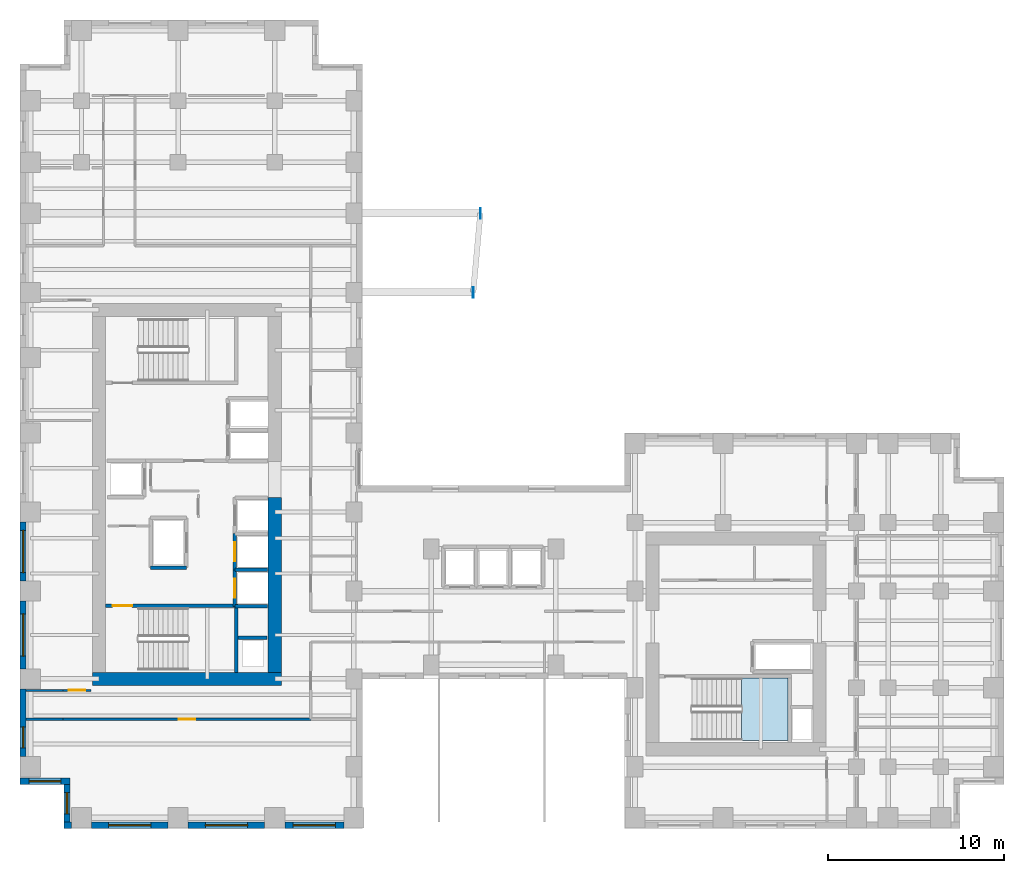
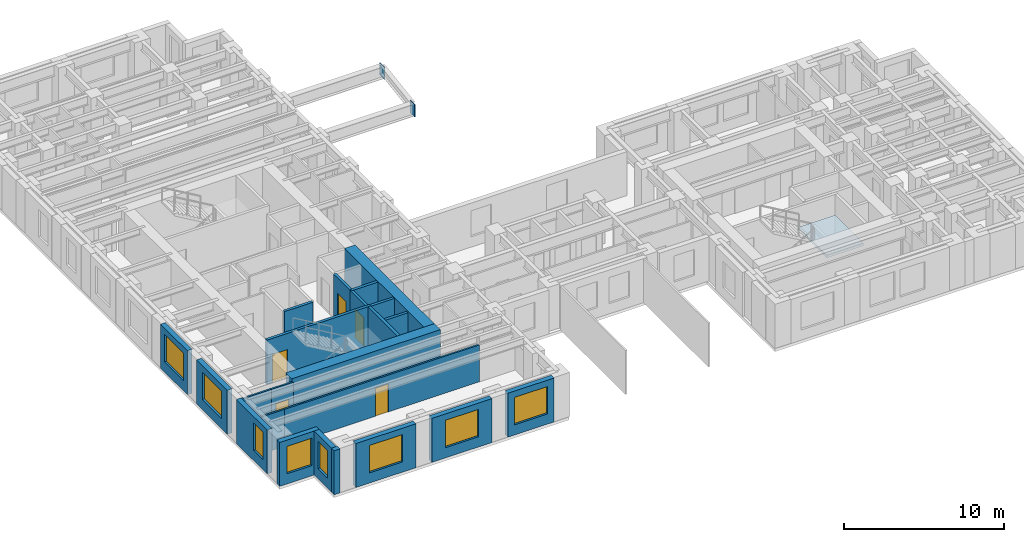
# One storey, part 5 of 13: 23 walls, 8 windows, 5 doors, 2 plates, 1 slab, 13 openings, 1 element without a shape of its own.
"""IFC4 building model written with IfcOpenShell, lengths in metres."""

from ifc_helpers import new_model, si_unit, direction, frame, frame_2d, origin, origin_2d, place, context, subcontext, project, spatial, polyline, rectangle, outline, extrude, source, transform, mapped, material, layer, layer_set, type_object, element, fill, aggregate, save


model = new_model("IFC4")

# Units and contexts
model_context = context("Model", 3, precision=1e-05, world=origin(), true_north=direction((0.0, 1.0)))
body_context = subcontext(model_context, "Body", "Model", "MODEL_VIEW")
ifc_project = project(units=[si_unit("LENGTHUNIT", "METRE"), si_unit("AREAUNIT", "SQUARE_METRE"), si_unit("VOLUMEUNIT", "CUBIC_METRE"), si_unit("PLANEANGLEUNIT", "RADIAN"), si_unit("MASSUNIT", "GRAM", prefix="KILO")], contexts=[model_context])

# Site, building, storey
site_placement = place(None, origin())
site = spatial("IfcSite", under=ifc_project, at=site_placement, CompositionType="ELEMENT")
building_placement = place(site_placement, origin())
building = spatial("IfcBuilding", under=site, at=building_placement, Name="Kharzan Plaza Tower", CompositionType="ELEMENT")
storey_placement = place(building_placement, frame((0.0, 0.0, 109.800048828125)))
storey = spatial("IfcBuildingStorey", under=building, at=storey_placement, Name="L29", CompositionType="ELEMENT", Elevation=109.800048828125)

# Stair, slab
ifc_material_1 = material(Name="Concrete C40/50", Category="concrete")
stair_type = type_object("IfcStairType", Name="STR-ST-3", PredefinedType="HALF_TURN_STAIR", material=ifc_material_1)
stair_placement = place(storey_placement, origin())
stair = element("IfcStair", 1, at=stair_placement, inside=storey, type_object=stair_type, Name="L29 Protected Exit Stair ST-3", PredefinedType="HALF_TURN_STAIR")
ifc_layer_1 = layer(ifc_material_1, 0.219970703125)
ifc_layer_set_1 = layer_set([ifc_layer_1], Name="Concrete C40/50")
slab_type = type_object("IfcSlabType", Name="SL-LANDING-220", PredefinedType="LANDING", material=ifc_layer_set_1)
slab_placement = place(storey_placement, frame((0.0, 0.0, 1.599853515625)))
slab = element("IfcSlab", 2, at=slab_placement, type_object=slab_type, Name="ST-3 landing 1", PredefinedType="LANDING", context=body_context, shape_type="SweptSolid", body=[
    extrude(outline(polyline([(41.050048828125, 5.0), (43.699951171875, 5.0), (43.699951171875, 8.550048828125), (41.050048828125, 8.550048828125), (41.050048828125, 5.0)])), origin(), (0.0, 0.0, 1.0), 0.2001953125),
])
aggregate(stair, [slab])

# Plates
ifc_material_2 = material(Name="Steel S460", Category="steel")
ifc_layer_2 = layer(ifc_material_2, 0.0419921875)
ifc_layer_set_2 = layer_set([ifc_layer_2], Name="Steel S460")
plate_type = type_object("IfcPlateType", Name="PLT-ZTN1", PredefinedType="USERDEFINED", material=ifc_layer_set_2)
shared_shape_1 = source(origin(), body_context, "Body", "SweptSolid", [
    extrude(rectangle(XDim=0.60009765625, YDim=0.0419921875, at=origin_2d()), origin(), (0.0, 0.0, 1.0), 0.949951171875),
])
for number, where, z_axis, x_axis, name in (
    (3, (25.7900390625, 30.5, 2.4365234375), (0.0, 0.0, 1.0), (0.0, 1.0, 0.0), "L29 Sky-Terrace Cantilever Tip Plate ZTN1"),
    (4, (26.199951171875, 35.0, 2.4365234375), (0.0, 0.0, 1.0), (0.0, 1.0, 0.0), "L29 Sky-Terrace Cantilever Tip Plate ZTN1"),
):
    element("IfcPlate", number, at=place(storey_placement, frame(where, z_axis=z_axis, x_axis=x_axis)), inside=storey, type_object=plate_type, Name=name, ObjectType="FLANGE_PLATE", PredefinedType="USERDEFINED", context=body_context, shape_type="MappedRepresentation", body=[
        mapped(shared_shape_1, transform((0.0, 0.0, 0.0), x_axis=(1.0, 0.0, 0.0), y_axis=(0.0, 1.0, 0.0), z_axis=(0.0, 0.0, 1.0))),
    ])

# Wall, opening, window
ifc_layer_3 = layer(ifc_material_1, 0.35009765625)
ifc_layer_set_3 = layer_set([ifc_layer_3], Name="Concrete C40/50")
wall_type_1 = type_object("IfcWallType", Name="WL-EXT-MAS-Z2", PredefinedType="SOLIDWALL", material=ifc_layer_set_3)
wall_1_placement = place(storey_placement, frame((0.175048828125, 17.427001953125, 0.0), z_axis=(0.0, 0.0, 1.0), x_axis=(0.0, -1.0, 0.0)))
wall_1 = element("IfcWall", 5, at=wall_1_placement, inside=storey, type_object=wall_type_1, Name="L29 Masonry-Frame Exterior Wall 23", PredefinedType="SOLIDWALL", context=body_context, shape_type="SweptSolid", body=[
    extrude(rectangle(XDim=3.35400390625, YDim=0.35009765625, at=frame_2d((1.677001953125, 0.0))), origin(), (0.0, 0.0, 1.0), 3.364990234375),
])
opening_1_placement = place(wall_1_placement, frame((0.47705078125, 0.0, 0.780029296875)))
opening_1 = element("IfcOpeningElement", 6, at=opening_1_placement, cuts=wall_1, Name="Opening W2", PredefinedType="OPENING", context=body_context, shape_type="SweptSolid", body=[
    extrude(rectangle(XDim=2.39990234375, YDim=2.10009765625, at=frame_2d((1.199951171875, 1.050048828125))), frame((0.0, 0.18505859375, 0.0), z_axis=(0.0, -1.0, 0.0), x_axis=(1.0, 0.0, 0.0)), (0.0, 0.0, 1.0), 0.3701171875),
])
ifc_material_3 = material(Name="Low-E Double Glazing", Category="glass")
window_type_1 = type_object("IfcWindowType", Name="WN-REC-2400x2100", PartitioningType="SINGLE_PANEL", PredefinedType="WINDOW", material=ifc_material_3)
shared_shape_2 = source(origin(), body_context, "Body", "SweptSolid", [
    extrude(rectangle(XDim=2.39990234375, YDim=2.10009765625, at=frame_2d((1.199951171875, 1.050048828125))), frame((0.0, 0.030029296875, 0.0), z_axis=(0.0, -1.0, 0.0), x_axis=(1.0, 0.0, 0.0)), (0.0, 0.0, 1.0), 0.06005859375),
])
window_1_placement = place(opening_1_placement, origin())
window_1 = element("IfcWindow", 7, at=window_1_placement, inside=storey, type_object=window_type_1, Name="L29 Wide Recessed Solar-Control Window 23-1", OverallHeight=2.10009765625, OverallWidth=2.39990234375, PartitioningType="SINGLE_PANEL", PredefinedType="WINDOW", context=body_context, shape_type="MappedRepresentation", body=[
    mapped(shared_shape_2, transform((0.0, 0.0, 0.0), x_axis=(1.0, 0.0, 0.0), y_axis=(0.0, 1.0, 0.0), z_axis=(0.0, 0.0, 1.0))),
])
fill(opening_1, window_1)

wall_2_placement = place(storey_placement, frame((0.175048828125, 12.927001953125, 0.0), z_axis=(0.0, 0.0, 1.0), x_axis=(0.0, -1.0, 0.0)))
wall_2 = element("IfcWall", 8, at=wall_2_placement, inside=storey, type_object=wall_type_1, Name="L29 Masonry-Frame Exterior Wall 24", PredefinedType="SOLIDWALL", context=body_context, shape_type="SweptSolid", body=[
    extrude(rectangle(XDim=3.85400390625, YDim=0.35009765625, at=frame_2d((1.927001953125, 0.0))), origin(), (0.0, 0.0, 1.0), 3.364990234375),
])
opening_2_placement = place(wall_2_placement, frame((0.72705078125, 0.0, 0.780029296875)))
opening_2 = element("IfcOpeningElement", 9, at=opening_2_placement, cuts=wall_2, Name="Opening W2", PredefinedType="OPENING", context=body_context, shape_type="SweptSolid", body=[
    extrude(rectangle(XDim=2.39990234375, YDim=2.10009765625, at=frame_2d((1.199951171875, 1.050048828125))), frame((0.0, 0.18505859375, 0.0), z_axis=(0.0, -1.0, 0.0), x_axis=(1.0, 0.0, 0.0)), (0.0, 0.0, 1.0), 0.3701171875),
])
window_2_placement = place(opening_2_placement, origin())
window_2 = element("IfcWindow", 10, at=window_2_placement, inside=storey, type_object=window_type_1, Name="L29 Wide Recessed Solar-Control Window 24-1", OverallHeight=2.10009765625, OverallWidth=2.39990234375, PartitioningType="SINGLE_PANEL", PredefinedType="WINDOW", context=body_context, shape_type="MappedRepresentation", body=[
    mapped(shared_shape_2, transform((0.0, 0.0, 0.0), x_axis=(1.0, 0.0, 0.0), y_axis=(0.0, 1.0, 0.0), z_axis=(0.0, 0.0, 1.0))),
])
fill(opening_2, window_2)

wall_3_placement = place(storey_placement, frame((0.175048828125, 7.927001953125, 0.0), z_axis=(0.0, 0.0, 1.0), x_axis=(0.0, -1.0, 0.0)))
wall_3 = element("IfcWall", 11, at=wall_3_placement, inside=storey, type_object=wall_type_1, Name="L29 Masonry-Frame Exterior Wall 25", PredefinedType="SOLIDWALL", context=body_context, shape_type="SweptSolid", body=[
    extrude(rectangle(XDim=3.85400390625, YDim=0.35009765625, at=frame_2d((1.927001953125, 0.0))), origin(), (0.0, 0.0, 1.0), 3.364990234375),
])
opening_3_placement = place(wall_3_placement, frame((2.155517578125, 0.0, 0.780029296875)))
opening_3 = element("IfcOpeningElement", 12, at=opening_3_placement, cuts=wall_3, Name="Opening W3", PredefinedType="OPENING", context=body_context, shape_type="SweptSolid", body=[
    extrude(rectangle(XDim=1.199951171875, YDim=2.10009765625, at=frame_2d((0.60009765625, 1.050048828125))), frame((0.0, 0.18505859375, 0.0), z_axis=(0.0, -1.0, 0.0), x_axis=(1.0, 0.0, 0.0)), (0.0, 0.0, 1.0), 0.3701171875),
])
window_type_2 = type_object("IfcWindowType", Name="WN-REC-1200x2100", PartitioningType="SINGLE_PANEL", PredefinedType="WINDOW", material=ifc_material_3)
shared_shape_3 = source(origin(), body_context, "Body", "SweptSolid", [
    extrude(rectangle(XDim=1.199951171875, YDim=2.10009765625, at=frame_2d((0.60009765625, 1.050048828125))), frame((0.0, 0.030029296875, 0.0), z_axis=(0.0, -1.0, 0.0), x_axis=(1.0, 0.0, 0.0)), (0.0, 0.0, 1.0), 0.06005859375),
])
window_3_placement = place(opening_3_placement, origin())
window_3 = element("IfcWindow", 13, at=window_3_placement, inside=storey, type_object=window_type_2, Name="L29 Recessed Solar-Control Window 25-1", OverallHeight=2.10009765625, OverallWidth=1.199951171875, PartitioningType="SINGLE_PANEL", PredefinedType="WINDOW", context=body_context, shape_type="MappedRepresentation", body=[
    mapped(shared_shape_3, transform((0.0, 0.0, 0.0), x_axis=(1.0, 0.0, 0.0), y_axis=(0.0, 1.0, 0.0), z_axis=(0.0, 0.0, 1.0))),
])
fill(opening_3, window_3)

wall_4_placement = place(storey_placement, frame((0.0, 2.675048828125, 0.0), z_axis=(0.0, 0.0, 1.0), x_axis=(1.0, 0.0, 0.0)))
wall_4 = element("IfcWall", 14, at=wall_4_placement, inside=storey, type_object=wall_type_1, Name="L29 Masonry-Frame Exterior Wall 26", PredefinedType="SOLIDWALL", context=body_context, shape_type="SweptSolid", body=[
    extrude(rectangle(XDim=2.85009765625, YDim=0.35009765625, at=frame_2d((1.425048828125, 0.0))), origin(), (0.0, 0.0, 1.0), 3.364990234375),
])
opening_4_placement = place(wall_4_placement, frame((0.52490234375, 0.0, 0.780029296875)))
opening_4 = element("IfcOpeningElement", 15, at=opening_4_placement, cuts=wall_4, Name="Opening W1", PredefinedType="OPENING", context=body_context, shape_type="SweptSolid", body=[
    extrude(rectangle(XDim=1.800048828125, YDim=2.10009765625, at=frame_2d((0.89990234375, 1.050048828125))), frame((0.0, 0.18505859375, 0.0), z_axis=(0.0, -1.0, 0.0), x_axis=(1.0, 0.0, 0.0)), (0.0, 0.0, 1.0), 0.3701171875),
])
window_type_3 = type_object("IfcWindowType", Name="WN-REC-1800x2100", PartitioningType="SINGLE_PANEL", PredefinedType="WINDOW", material=ifc_material_3)
shared_shape_4 = source(origin(), body_context, "Body", "SweptSolid", [
    extrude(rectangle(XDim=1.800048828125, YDim=2.10009765625, at=frame_2d((0.89990234375, 1.050048828125))), frame((0.0, 0.030029296875, 0.0), z_axis=(0.0, -1.0, 0.0), x_axis=(1.0, 0.0, 0.0)), (0.0, 0.0, 1.0), 0.06005859375),
])
window_4_placement = place(opening_4_placement, origin())
window_4 = element("IfcWindow", 16, at=window_4_placement, inside=storey, type_object=window_type_3, Name="L29 Recessed Solar-Control Window 26-1", OverallHeight=2.10009765625, OverallWidth=1.800048828125, PartitioningType="SINGLE_PANEL", PredefinedType="WINDOW", context=body_context, shape_type="MappedRepresentation", body=[
    mapped(shared_shape_4, transform((0.0, 0.0, 0.0), x_axis=(1.0, 0.0, 0.0), y_axis=(0.0, 1.0, 0.0), z_axis=(0.0, 0.0, 1.0))),
])
fill(opening_4, window_4)

wall_5_placement = place(storey_placement, frame((2.675048828125, 2.501953125, 0.0), z_axis=(0.0, 0.0, 1.0), x_axis=(0.0, -1.0, 0.0)))
wall_5 = element("IfcWall", 17, at=wall_5_placement, inside=storey, type_object=wall_type_1, Name="L29 Masonry-Frame Exterior Wall 27", PredefinedType="SOLIDWALL", context=body_context, shape_type="SweptSolid", body=[
    extrude(rectangle(XDim=2.154052734375, YDim=0.35009765625, at=frame_2d((1.0771484375, 0.0))), origin(), (0.0, 0.0, 1.0), 3.364990234375),
])
opening_5_placement = place(wall_5_placement, frame((0.47705078125, 0.0, 0.780029296875)))
opening_5 = element("IfcOpeningElement", 18, at=opening_5_placement, cuts=wall_5, Name="Opening W3", PredefinedType="OPENING", context=body_context, shape_type="SweptSolid", body=[
    extrude(rectangle(XDim=1.199951171875, YDim=2.10009765625, at=frame_2d((0.60009765625, 1.050048828125))), frame((0.0, 0.18505859375, 0.0), z_axis=(0.0, -1.0, 0.0), x_axis=(1.0, 0.0, 0.0)), (0.0, 0.0, 1.0), 0.3701171875),
])
window_5_placement = place(opening_5_placement, origin())
window_5 = element("IfcWindow", 19, at=window_5_placement, inside=storey, type_object=window_type_2, Name="L29 Recessed Solar-Control Window 27-1", OverallHeight=2.10009765625, OverallWidth=1.199951171875, PartitioningType="SINGLE_PANEL", PredefinedType="WINDOW", context=body_context, shape_type="MappedRepresentation", body=[
    mapped(shared_shape_3, transform((0.0, 0.0, 0.0), x_axis=(1.0, 0.0, 0.0), y_axis=(0.0, 1.0, 0.0), z_axis=(0.0, 0.0, 1.0))),
])
fill(opening_5, window_5)

wall_6_placement = place(storey_placement, frame((4.072998046875, 0.175048828125, 0.0), z_axis=(0.0, 0.0, 1.0), x_axis=(1.0, 0.0, 0.0)))
wall_6 = element("IfcWall", 20, at=wall_6_placement, inside=storey, type_object=wall_type_1, Name="L29 Masonry-Frame Exterior Wall 29", PredefinedType="SOLIDWALL", context=body_context, shape_type="SweptSolid", body=[
    extrude(rectangle(XDim=4.35400390625, YDim=0.35009765625, at=frame_2d((2.177001953125, 0.0))), origin(), (0.0, 0.0, 1.0), 3.364990234375),
])
opening_6_placement = place(wall_6_placement, frame((0.97705078125, 0.0, 0.780029296875)))
opening_6 = element("IfcOpeningElement", 21, at=opening_6_placement, cuts=wall_6, Name="Opening W2", PredefinedType="OPENING", context=body_context, shape_type="SweptSolid", body=[
    extrude(rectangle(XDim=2.39990234375, YDim=2.10009765625, at=frame_2d((1.199951171875, 1.050048828125))), frame((0.0, 0.18505859375, 0.0), z_axis=(0.0, -1.0, 0.0), x_axis=(1.0, 0.0, 0.0)), (0.0, 0.0, 1.0), 0.3701171875),
])
window_6_placement = place(opening_6_placement, origin())
window_6 = element("IfcWindow", 22, at=window_6_placement, inside=storey, type_object=window_type_1, Name="L29 Wide Recessed Solar-Control Window 29-1", OverallHeight=2.10009765625, OverallWidth=2.39990234375, PartitioningType="SINGLE_PANEL", PredefinedType="WINDOW", context=body_context, shape_type="MappedRepresentation", body=[
    mapped(shared_shape_2, transform((0.0, 0.0, 0.0), x_axis=(1.0, 0.0, 0.0), y_axis=(0.0, 1.0, 0.0), z_axis=(0.0, 0.0, 1.0))),
])
fill(opening_6, window_6)

wall_7_placement = place(storey_placement, frame((9.572998046875, 0.175048828125, 0.0), z_axis=(0.0, 0.0, 1.0), x_axis=(1.0, 0.0, 0.0)))
wall_7 = element("IfcWall", 23, at=wall_7_placement, inside=storey, type_object=wall_type_1, Name="L29 Masonry-Frame Exterior Wall 30", PredefinedType="SOLIDWALL", context=body_context, shape_type="SweptSolid", body=[
    extrude(rectangle(XDim=4.35400390625, YDim=0.35009765625, at=frame_2d((2.177001953125, 0.0))), origin(), (0.0, 0.0, 1.0), 3.364990234375),
])
opening_7_placement = place(wall_7_placement, frame((0.97705078125, 0.0, 0.780029296875)))
opening_7 = element("IfcOpeningElement", 24, at=opening_7_placement, cuts=wall_7, Name="Opening W2", PredefinedType="OPENING", context=body_context, shape_type="SweptSolid", body=[
    extrude(rectangle(XDim=2.39990234375, YDim=2.10009765625, at=frame_2d((1.199951171875, 1.050048828125))), frame((0.0, 0.18505859375, 0.0), z_axis=(0.0, -1.0, 0.0), x_axis=(1.0, 0.0, 0.0)), (0.0, 0.0, 1.0), 0.3701171875),
])
window_7_placement = place(opening_7_placement, origin())
window_7 = element("IfcWindow", 25, at=window_7_placement, inside=storey, type_object=window_type_1, Name="L29 Wide Recessed Solar-Control Window 30-1", OverallHeight=2.10009765625, OverallWidth=2.39990234375, PartitioningType="SINGLE_PANEL", PredefinedType="WINDOW", context=body_context, shape_type="MappedRepresentation", body=[
    mapped(shared_shape_2, transform((0.0, 0.0, 0.0), x_axis=(1.0, 0.0, 0.0), y_axis=(0.0, 1.0, 0.0), z_axis=(0.0, 0.0, 1.0))),
])
fill(opening_7, window_7)

wall_8_placement = place(storey_placement, frame((15.072998046875, 0.175048828125, 0.0), z_axis=(0.0, 0.0, 1.0), x_axis=(1.0, 0.0, 0.0)))
wall_8 = element("IfcWall", 26, at=wall_8_placement, inside=storey, type_object=wall_type_1, Name="L29 Masonry-Frame Exterior Wall 31", PredefinedType="SOLIDWALL", context=body_context, shape_type="SweptSolid", body=[
    extrude(rectangle(XDim=3.35400390625, YDim=0.35009765625, at=frame_2d((1.677001953125, 0.0))), origin(), (0.0, 0.0, 1.0), 3.364990234375),
])
opening_8_placement = place(wall_8_placement, frame((0.47705078125, 0.0, 0.780029296875)))
opening_8 = element("IfcOpeningElement", 27, at=opening_8_placement, cuts=wall_8, Name="Opening W2", PredefinedType="OPENING", context=body_context, shape_type="SweptSolid", body=[
    extrude(rectangle(XDim=2.39990234375, YDim=2.10009765625, at=frame_2d((1.199951171875, 1.050048828125))), frame((0.0, 0.18505859375, 0.0), z_axis=(0.0, -1.0, 0.0), x_axis=(1.0, 0.0, 0.0)), (0.0, 0.0, 1.0), 0.3701171875),
])
window_8_placement = place(opening_8_placement, origin())
window_8 = element("IfcWindow", 28, at=window_8_placement, inside=storey, type_object=window_type_1, Name="L29 Wide Recessed Solar-Control Window 31-1", OverallHeight=2.10009765625, OverallWidth=2.39990234375, PartitioningType="SINGLE_PANEL", PredefinedType="WINDOW", context=body_context, shape_type="MappedRepresentation", body=[
    mapped(shared_shape_2, transform((0.0, 0.0, 0.0), x_axis=(1.0, 0.0, 0.0), y_axis=(0.0, 1.0, 0.0), z_axis=(0.0, 0.0, 1.0))),
])
fill(opening_8, window_8)

# Wall, opening, door
ifc_material_4 = material(Name="Fire-Rated Gypsum Board Partition", Category="gypsum")
ifc_layer_4 = layer(ifc_material_4, 0.125)
ifc_layer_set_4 = layer_set([ifc_layer_4], Name="Fire-Rated Gypsum Board Partition")
wall_type_2 = type_object("IfcWallType", Name="WL-INT-PART-125", PredefinedType="PARTITIONING", material=ifc_layer_set_4)
wall_9_placement = place(storey_placement, frame((2.449951171875, 7.85009765625, 0.0), z_axis=(0.0, 0.0, 1.0), x_axis=(1.0, 0.0, 0.0)))
wall_9 = element("IfcWall", 29, at=wall_9_placement, inside=storey, type_object=wall_type_2, Name="L29 Interior Partition SH-RWSD", PredefinedType="PARTITIONING", context=body_context, shape_type="SweptSolid", body=[
    extrude(rectangle(XDim=1.60009765625, YDim=0.125, at=frame_2d((0.800048828125, 0.0))), origin(), (0.0, 0.0, 1.0), 3.364990234375),
])
opening_9_placement = place(wall_9_placement, frame((0.324951171875, 0.0, 0.0)))
opening_9 = element("IfcOpeningElement", 30, at=opening_9_placement, cuts=wall_9, Name="Opening OD1", PredefinedType="OPENING", context=body_context, shape_type="SweptSolid", body=[
    extrude(rectangle(XDim=0.949951171875, YDim=2.14990234375, at=frame_2d((0.47509765625, 1.074951171875))), frame((0.0, 0.072509765625, 0.0), z_axis=(0.0, -1.0, 0.0), x_axis=(1.0, 0.0, 0.0)), (0.0, 0.0, 1.0), 0.14501953125),
])
ifc_material_5 = material(Name="Acoustic Solid-Core Stained Oak", Category="timber")
door_type_1 = type_object("IfcDoorType", Name="DR-OFF-SINGLE", OperationType="NOTDEFINED", PredefinedType="DOOR", material=ifc_material_5)
shared_shape_5 = source(origin(), body_context, "Body", "SweptSolid", [
    extrude(rectangle(XDim=0.949951171875, YDim=2.14990234375, at=frame_2d((0.47509765625, 1.074951171875))), frame((0.0, 0.02490234375, 0.0), z_axis=(0.0, -1.0, 0.0), x_axis=(1.0, 0.0, 0.0)), (0.0, 0.0, 1.0), 0.050048828125),
])
door_1_placement = place(opening_9_placement, origin())
door_1 = element("IfcDoor", 31, at=door_1_placement, inside=storey, type_object=door_type_1, Name="L29 West Office 1 Door", OperationType="SINGLE_SWING_RIGHT", OverallHeight=2.14990234375, OverallWidth=0.949951171875, PredefinedType="DOOR", context=body_context, shape_type="MappedRepresentation", body=[
    mapped(shared_shape_5, transform((0.0, 0.0, 0.0), x_axis=(1.0, 0.0, 0.0), y_axis=(0.0, 1.0, 0.0), z_axis=(0.0, 0.0, 1.0))),
])
fill(opening_9, door_1)

wall_10_placement = place(storey_placement, frame((2.449951171875, 6.199951171875, 0.0), z_axis=(0.0, 0.0, 1.0), x_axis=(1.0, 0.0, 0.0)))
wall_10 = element("IfcWall", 32, at=wall_10_placement, inside=storey, type_object=wall_type_2, Name="L29 Interior Partition SH-SS-1", PredefinedType="PARTITIONING", context=body_context, shape_type="SweptSolid", body=[
    extrude(rectangle(XDim=14.10009765625, YDim=0.125, at=frame_2d((7.050048828125, 0.0))), origin(), (0.0, 0.0, 1.0), 2.827880859375),
])
opening_10_placement = place(wall_10_placement, frame((6.574951171875, 0.0, 0.0)))
opening_10 = element("IfcOpeningElement", 33, at=opening_10_placement, cuts=wall_10, Name="Opening OD1", PredefinedType="OPENING", context=body_context, shape_type="SweptSolid", body=[
    extrude(rectangle(XDim=0.949951171875, YDim=2.14990234375, at=frame_2d((0.47509765625, 1.074951171875))), frame((0.0, 0.072509765625, 0.0), z_axis=(0.0, -1.0, 0.0), x_axis=(1.0, 0.0, 0.0)), (0.0, 0.0, 1.0), 0.14501953125),
])
door_2_placement = place(opening_10_placement, origin())
door_2 = element("IfcDoor", 34, at=door_2_placement, inside=storey, type_object=door_type_1, Name="L29 Staff Tea Pantry Door", OperationType="SINGLE_SWING_RIGHT", OverallHeight=2.14990234375, OverallWidth=0.949951171875, PredefinedType="DOOR", context=body_context, shape_type="MappedRepresentation", body=[
    mapped(shared_shape_5, transform((0.0, 0.0, 0.0), x_axis=(1.0, 0.0, 0.0), y_axis=(0.0, 1.0, 0.0), z_axis=(0.0, 0.0, 1.0))),
])
fill(opening_10, door_2)

ifc_layer_5 = layer(ifc_material_1, 0.199951171875)
ifc_layer_set_5 = layer_set([ifc_layer_5], Name="Concrete C40/50")
wall_type_3 = type_object("IfcWallType", Name="WL-INT-SHAFT-200", PredefinedType="PARTITIONING", material=ifc_layer_set_5)
wall_11_placement = place(storey_placement, frame((12.22998046875, 12.6298828125, 0.0), z_axis=(0.0, 0.0, 1.0), x_axis=(0.0, 1.0, 0.0)))
wall_11 = element("IfcWall", 35, at=wall_11_placement, inside=storey, type_object=wall_type_3, Name="L29 Interior Partition SHF-PL-H1-W", PredefinedType="PARTITIONING", context=body_context, shape_type="SweptSolid", body=[
    extrude(rectangle(XDim=2.070068359375, YDim=0.199951171875, at=frame_2d((1.03515625, 0.0))), origin(), (0.0, 0.0, 1.0), 3.364990234375),
])
opening_11_placement = place(wall_11_placement, frame((0.485107421875, 0.0, 0.0)))
opening_11 = element("IfcOpeningElement", 36, at=opening_11_placement, cuts=wall_11, Name="Opening LD", PredefinedType="OPENING", context=body_context, shape_type="SweptSolid", body=[
    extrude(rectangle(XDim=1.10009765625, YDim=2.199951171875, at=frame_2d((0.550048828125, 1.10009765625))), frame((0.0, 0.10986328125, 0.0), z_axis=(0.0, -1.0, 0.0), x_axis=(1.0, 0.0, 0.0)), (0.0, 0.0, 1.0), 0.219970703125),
])
ifc_material_6 = material(Name="Brushed Stainless Steel", Category="steel")
door_type_2 = type_object("IfcDoorType", Name="DR-LIFT-SLIDE", OperationType="SLIDING_TO_LEFT", PredefinedType="DOOR", material=ifc_material_6)
shared_shape_6 = source(origin(), body_context, "Body", "SweptSolid", [
    extrude(rectangle(XDim=1.10009765625, YDim=2.199951171875, at=frame_2d((0.550048828125, 1.10009765625))), frame((0.0, 0.02490234375, 0.0), z_axis=(0.0, -1.0, 0.0), x_axis=(1.0, 0.0, 0.0)), (0.0, 0.0, 1.0), 0.050048828125),
])
door_3_placement = place(opening_11_placement, origin())
door_3 = element("IfcDoor", 37, at=door_3_placement, inside=storey, type_object=door_type_2, Name="L29 High-Rise Passenger Lift PL-H1 Sliding Landing Door", OperationType="SLIDING_TO_LEFT", OverallHeight=2.199951171875, OverallWidth=1.10009765625, PredefinedType="DOOR", context=body_context, shape_type="MappedRepresentation", body=[
    mapped(shared_shape_6, transform((0.0, 0.0, 0.0), x_axis=(1.0, 0.0, 0.0), y_axis=(0.0, 1.0, 0.0), z_axis=(0.0, 0.0, 1.0))),
])
fill(opening_11, door_3)

wall_12_placement = place(storey_placement, frame((12.22998046875, 14.699951171875, 0.0), z_axis=(0.0, 0.0, 1.0), x_axis=(0.0, 1.0, 0.0)))
wall_12 = element("IfcWall", 38, at=wall_12_placement, inside=storey, type_object=wall_type_3, Name="L29 Interior Partition SHF-PL-H2-W", PredefinedType="PARTITIONING", context=body_context, shape_type="SweptSolid", body=[
    extrude(rectangle(XDim=2.070068359375, YDim=0.199951171875, at=frame_2d((1.03515625, 0.0))), origin(), (0.0, 0.0, 1.0), 3.364990234375),
])
opening_12_placement = place(wall_12_placement, frame((0.485107421875, 0.0, 0.0)))
opening_12 = element("IfcOpeningElement", 39, at=opening_12_placement, cuts=wall_12, Name="Opening LD", PredefinedType="OPENING", context=body_context, shape_type="SweptSolid", body=[
    extrude(rectangle(XDim=1.10009765625, YDim=2.199951171875, at=frame_2d((0.550048828125, 1.10009765625))), frame((0.0, 0.10986328125, 0.0), z_axis=(0.0, -1.0, 0.0), x_axis=(1.0, 0.0, 0.0)), (0.0, 0.0, 1.0), 0.219970703125),
])
door_4_placement = place(opening_12_placement, origin())
door_4 = element("IfcDoor", 40, at=door_4_placement, inside=storey, type_object=door_type_2, Name="L29 High-Rise Passenger Lift PL-H2 Sliding Landing Door", OperationType="SLIDING_TO_LEFT", OverallHeight=2.199951171875, OverallWidth=1.10009765625, PredefinedType="DOOR", context=body_context, shape_type="MappedRepresentation", body=[
    mapped(shared_shape_6, transform((0.0, 0.0, 0.0), x_axis=(1.0, 0.0, 0.0), y_axis=(0.0, 1.0, 0.0), z_axis=(0.0, 0.0, 1.0))),
])
fill(opening_12, door_4)

ifc_material_7 = material(Name="Concrete C50/60", Category="concrete")
ifc_layer_6 = layer(ifc_material_7, 0.199951171875)
ifc_layer_set_6 = layer_set([ifc_layer_6], Name="Concrete C50/60")
wall_type_4 = type_object("IfcWallType", Name="WL-SHAFT-RC200", PredefinedType="SHEAR", material=ifc_layer_set_6)
wall_13_placement = place(storey_placement, frame((4.876953125, 12.655029296875, 0.0), z_axis=(0.0, 0.0, 1.0), x_axis=(1.0, 0.0, 0.0)))
wall_13 = element("IfcWall", 41, at=wall_13_placement, inside=storey, type_object=wall_type_4, Name="L29 Stair ST-1 North RC Shaft Wall", PredefinedType="SHEAR", context=body_context, shape_type="SweptSolid", body=[
    extrude(rectangle(XDim=7.528076171875, YDim=0.199951171875, at=frame_2d((3.76416015625, 0.0))), origin(), (0.0, 0.0, 1.0), 3.3798828125),
])
opening_13_placement = place(wall_13_placement, frame((0.39990234375, 0.0, 0.0)))
opening_13 = element("IfcOpeningElement", 42, at=opening_13_placement, cuts=wall_13, Name="Opening SD1", PredefinedType="OPENING", context=body_context, shape_type="SweptSolid", body=[
    extrude(rectangle(XDim=1.10009765625, YDim=2.14990234375, at=frame_2d((0.550048828125, 1.074951171875))), frame((0.0, 0.10986328125, 0.0), z_axis=(0.0, -1.0, 0.0), x_axis=(1.0, 0.0, 0.0)), (0.0, 0.0, 1.0), 0.219970703125),
])
ifc_material_8 = material(Name="Fire-Rated Hollow Galvanized Steel", Category="steel")
door_type_3 = type_object("IfcDoorType", Name="DR-STAIR-FD120", OperationType="NOTDEFINED", PredefinedType="DOOR", material=ifc_material_8)
shared_shape_7 = source(origin(), body_context, "Body", "SweptSolid", [
    extrude(rectangle(XDim=1.10009765625, YDim=2.14990234375, at=frame_2d((0.550048828125, 1.074951171875))), frame((0.0, 0.02490234375, 0.0), z_axis=(0.0, -1.0, 0.0), x_axis=(1.0, 0.0, 0.0)), (0.0, 0.0, 1.0), 0.050048828125),
])
door_5_placement = place(opening_13_placement, origin())
door_5 = element("IfcDoor", 43, at=door_5_placement, inside=storey, type_object=door_type_3, Name="L29 Stair ST-1 Fire Exit Door", OperationType="SINGLE_SWING_LEFT", OverallHeight=2.14990234375, OverallWidth=1.10009765625, PredefinedType="DOOR", context=body_context, shape_type="MappedRepresentation", body=[
    mapped(shared_shape_7, transform((0.0, 0.0, 0.0), x_axis=(1.0, 0.0, 0.0), y_axis=(0.0, 1.0, 0.0), z_axis=(0.0, 0.0, 1.0))),
])
fill(opening_13, door_5)

# Walls
shared_shape_8 = source(origin(), body_context, "Body", "SweptSolid", [
    extrude(rectangle(XDim=2.097900390625, YDim=0.125, at=frame_2d((1.048828125, 0.0))), origin(), (0.0, 0.0, 1.0), 2.827880859375),
])
wall_14_placement = place(storey_placement, frame((0.35205078125, 6.199951171875, 0.0), z_axis=(0.0, 0.0, 1.0), x_axis=(1.0, 0.0, 0.0)))
element("IfcWall", 44, at=wall_14_placement, inside=storey, type_object=wall_type_2, Name="L29 Interior Partition SH-SS-EXT", PredefinedType="PARTITIONING", context=body_context, shape_type="MappedRepresentation", body=[
    mapped(shared_shape_8, transform((0.0, 0.0, 0.0), x_axis=(1.0, 0.0, 0.0), y_axis=(0.0, 1.0, 0.0), z_axis=(0.0, 0.0, 1.0))),
])
shared_shape_9 = source(origin(), body_context, "Body", "SweptSolid", [
    extrude(rectangle(XDim=2.0400390625, YDim=0.199951171875, at=frame_2d((1.02001953125, 0.0))), origin(), (0.0, 0.0, 1.0), 3.364990234375),
])
wall_15_placement = place(storey_placement, frame((7.429931640625, 14.830078125, 0.0), z_axis=(0.0, 0.0, 1.0), x_axis=(1.0, 0.0, 0.0)))
element("IfcWall", 45, at=wall_15_placement, inside=storey, type_object=wall_type_3, Name="L29 Interior Partition SHF-SVL-1-S", PredefinedType="PARTITIONING", context=body_context, shape_type="MappedRepresentation", body=[
    mapped(shared_shape_9, transform((0.0, 0.0, 0.0), x_axis=(1.0, 0.0, 0.0), y_axis=(0.0, 1.0, 0.0), z_axis=(0.0, 0.0, 1.0))),
])
shared_shape_10 = source(origin(), body_context, "Body", "SweptSolid", [
    extrude(rectangle(XDim=2.097900390625, YDim=0.125, at=frame_2d((1.048828125, 0.0))), origin(), (0.0, 0.0, 1.0), 3.364990234375),
])
wall_16_placement = place(storey_placement, frame((0.35205078125, 7.85009765625, 0.0), z_axis=(0.0, 0.0, 1.0), x_axis=(1.0, 0.0, 0.0)))
element("IfcWall", 46, at=wall_16_placement, inside=storey, type_object=wall_type_2, Name="L29 Interior Partition SH-RWS0", PredefinedType="PARTITIONING", context=body_context, shape_type="MappedRepresentation", body=[
    mapped(shared_shape_10, transform((0.0, 0.0, 0.0), x_axis=(1.0, 0.0, 0.0), y_axis=(0.0, 1.0, 0.0), z_axis=(0.0, 0.0, 1.0))),
])
shared_shape_11 = source(origin(), body_context, "Body", "SweptSolid", [
    extrude(rectangle(XDim=0.427001953125, YDim=0.35009765625, at=frame_2d((0.21337890625, 0.0))), origin(), (0.0, 0.0, 1.0), 3.364990234375),
])
wall_17_placement = place(storey_placement, frame((2.5, 0.175048828125, 0.0), z_axis=(0.0, 0.0, 1.0), x_axis=(1.0, 0.0, 0.0)))
element("IfcWall", 47, at=wall_17_placement, inside=storey, type_object=wall_type_1, Name="L29 Masonry-Frame Exterior Wall 28", PredefinedType="SOLIDWALL", context=body_context, shape_type="MappedRepresentation", body=[
    mapped(shared_shape_11, transform((0.0, 0.0, 0.0), x_axis=(1.0, 0.0, 0.0), y_axis=(0.0, 1.0, 0.0), z_axis=(0.0, 0.0, 1.0))),
])
shared_shape_12 = source(origin(), body_context, "Body", "SweptSolid", [
    extrude(rectangle(XDim=1.630126953125, YDim=0.199951171875, at=frame_2d((0.81494140625, 0.0))), origin(), (0.0, 0.0, 1.0), 3.364990234375),
])
wall_18_placement = place(storey_placement, frame((12.419921875, 10.85009765625, 0.0), z_axis=(0.0, 0.0, 1.0), x_axis=(1.0, 0.0, 0.0)))
element("IfcWall", 48, at=wall_18_placement, inside=storey, type_object=wall_type_3, Name="L29 Interior Partition CA-RSRA-N", PredefinedType="PARTITIONING", context=body_context, shape_type="MappedRepresentation", body=[
    mapped(shared_shape_12, transform((0.0, 0.0, 0.0), x_axis=(1.0, 0.0, 0.0), y_axis=(0.0, 1.0, 0.0), z_axis=(0.0, 0.0, 1.0))),
])
shared_shape_13 = source(origin(), body_context, "Body", "SweptSolid", [
    extrude(rectangle(XDim=1.864990234375, YDim=0.199951171875, at=frame_2d((0.9326171875, 0.0))), origin(), (0.0, 0.0, 1.0), 3.364990234375),
])
for number, where, z_axis, x_axis, name in (
    (49, (12.22998046875, 14.699951171875, 0.0), (0.0, 0.0, 1.0), (1.0, 0.0, 0.0), "L29 Interior Partition SHF-PL-H1-N"),
    (50, (12.22998046875, 12.6298828125, 0.0), (0.0, 0.0, 1.0), (1.0, 0.0, 0.0), "L29 Interior Partition SHF-PL-H1-S"),
):
    element("IfcWall", number, at=place(storey_placement, frame(where, z_axis=z_axis, x_axis=x_axis)), inside=storey, type_object=wall_type_3, Name=name, PredefinedType="PARTITIONING", context=body_context, shape_type="MappedRepresentation", body=[
        mapped(shared_shape_13, transform((0.0, 0.0, 0.0), x_axis=(1.0, 0.0, 0.0), y_axis=(0.0, 1.0, 0.0), z_axis=(0.0, 0.0, 1.0))),
    ])
ifc_material_9 = material(Name="Concrete C60/75", Category="concrete")
ifc_layer_7 = layer(ifc_material_9, 0.75)
ifc_layer_set_7 = layer_set([ifc_layer_7], Name="Concrete C60/75")
wall_type_5 = type_object("IfcWallType", Name="WL-CORE-750", PredefinedType="SHEAR", material=ifc_layer_set_7)
shared_shape_14 = source(origin(), body_context, "Body", "SweptSolid", [
    extrude(rectangle(XDim=9.945068359375, YDim=0.75, at=frame_2d((4.97265625, 0.0))), origin(), (0.0, 0.0, 1.0), 3.3798828125),
])
wall_19_placement = place(storey_placement, frame((14.5, 8.875, 0.0), z_axis=(0.0, 0.0, 1.0), x_axis=(0.0, 1.0, 0.0)))
element("IfcWall", 51, at=wall_19_placement, inside=storey, type_object=wall_type_5, Name="L29 CORE-A east shear pier 1", PredefinedType="SHEAR", context=body_context, shape_type="MappedRepresentation", body=[
    mapped(shared_shape_14, transform((0.0, 0.0, 0.0), x_axis=(1.0, 0.0, 0.0), y_axis=(0.0, 1.0, 0.0), z_axis=(0.0, 0.0, 1.0))),
])
shared_shape_15 = source(origin(), body_context, "Body", "SweptSolid", [
    extrude(rectangle(XDim=10.75, YDim=0.75, at=frame_2d((5.375, 0.0))), origin(), (0.0, 0.0, 1.0), 3.3798828125),
])
wall_20_placement = place(storey_placement, frame((4.125, 8.5, 0.0), z_axis=(0.0, 0.0, 1.0), x_axis=(1.0, 0.0, 0.0)))
element("IfcWall", 52, at=wall_20_placement, inside=storey, type_object=wall_type_5, Name="L29 CORE-A south RC shear wall", PredefinedType="SHEAR", context=body_context, shape_type="MappedRepresentation", body=[
    mapped(shared_shape_15, transform((0.0, 0.0, 0.0), x_axis=(1.0, 0.0, 0.0), y_axis=(0.0, 1.0, 0.0), z_axis=(0.0, 0.0, 1.0))),
])
shared_shape_16 = source(origin(), body_context, "Body", "SweptSolid", [
    extrude(rectangle(XDim=3.677978515625, YDim=0.199951171875, at=frame_2d((1.8388671875, 0.0))), origin(), (0.0, 0.0, 1.0), 3.3798828125),
])
wall_21_placement = place(storey_placement, frame((12.304931640625, 8.876953125, 0.0), z_axis=(0.0, 0.0, 1.0), x_axis=(0.0, 1.0, 0.0)))
element("IfcWall", 53, at=wall_21_placement, inside=storey, type_object=wall_type_4, Name="L29 Stair ST-1 East RC Shaft Wall", PredefinedType="SHEAR", context=body_context, shape_type="MappedRepresentation", body=[
    mapped(shared_shape_16, transform((0.0, 0.0, 0.0), x_axis=(1.0, 0.0, 0.0), y_axis=(0.0, 1.0, 0.0), z_axis=(0.0, 0.0, 1.0))),
])

save(model, "model.ifc")
